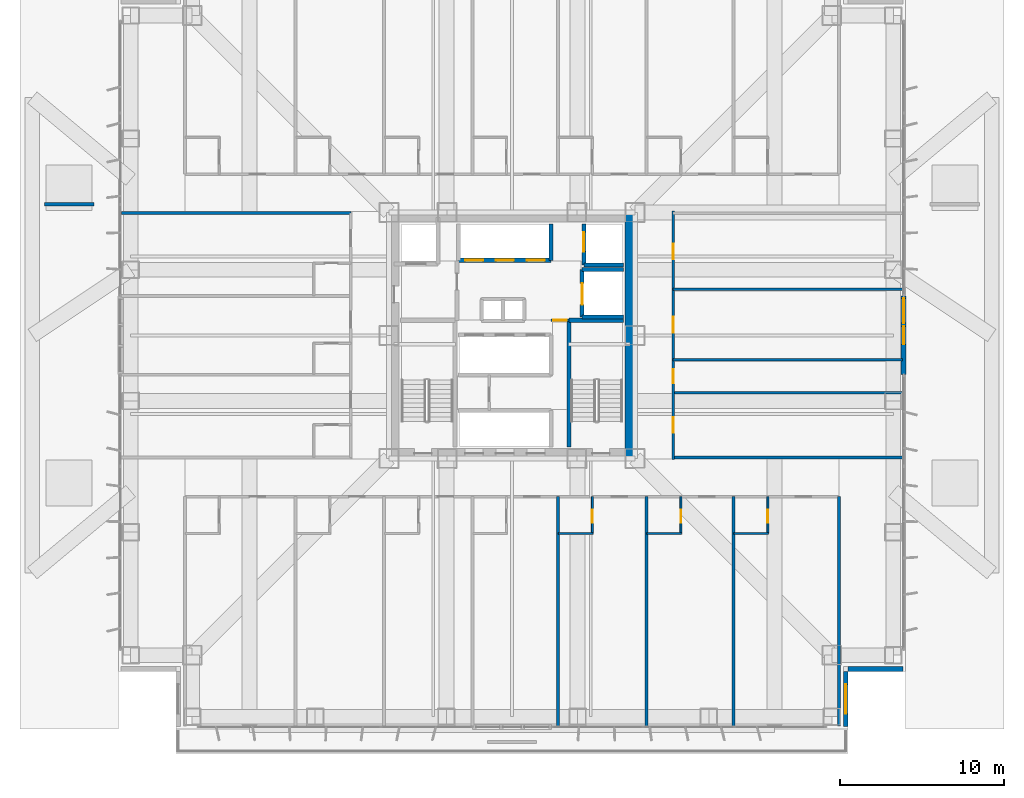
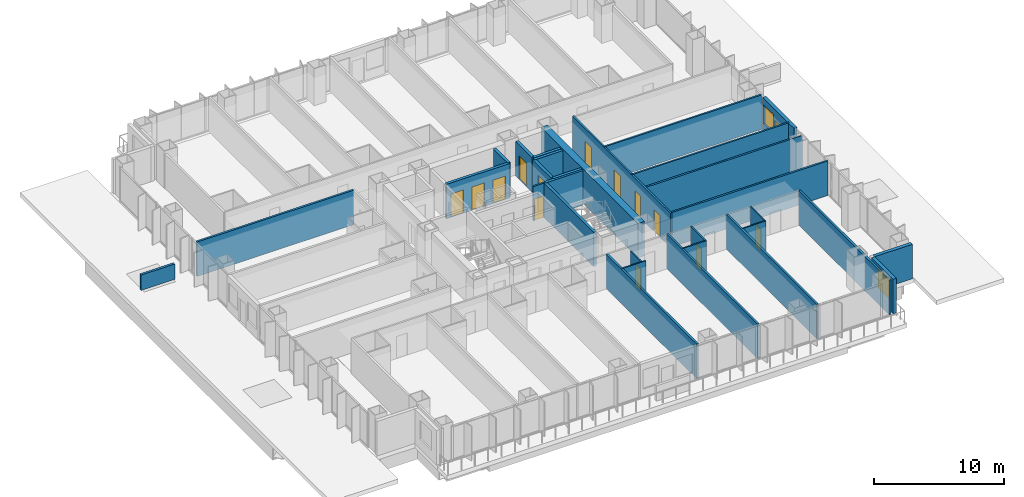
# One storey, part 17 of 24: 31 walls, 14 doors, 2 windows, 16 openings.
"""IFC4 building model written with IfcOpenShell, lengths in metres."""

import ifcopenshell
import ifcopenshell.guid

model = None  # the IFC model being written
_history = None  # IfcOwnerHistory: only IFC2X3 demands one
_inside = {}  # id of a spatial element -> (the spatial element, [elements in it])
_under = {}  # id of a project, library or spatial element -> (it, [spatial elements below it])
_declared = {}  # id of a project -> (the project, [libraries it declares])
_typed = {}  # id of a type object -> (the type object, [elements of that type])
_made_of = {}  # id of a material, layer set ... -> (it, [elements and type objects made of it])


def new_model(schema):
    """Start an empty IFC model of exactly this schema.

    Asked for "IFC4X3", IfcOpenShell would pick the latest addendum, in which some entities
    have other attributes; the version numbers below select the first issue.
    IFC2X3 requires an IfcOwnerHistory on every rooted entity: one is made here for all.
    """
    global model, _history
    if schema == "IFC4X3":
        model = ifcopenshell.file(schema_version=(4, 3, 0, 0))
    else:
        model = ifcopenshell.file(schema=schema)
    _inside.clear()
    _under.clear()
    _declared.clear()
    _typed.clear()
    _made_of.clear()
    _history = None
    if model.schema == "IFC2X3":
        org = make("IfcOrganization", Name="unknown")
        user = make(
            "IfcPersonAndOrganization",
            ThePerson=make("IfcPerson", FamilyName="unknown"),
            TheOrganization=org,
        )
        app = make(
            "IfcApplication",
            ApplicationDeveloper=org,
            Version="unknown",
            ApplicationFullName="unknown",
            ApplicationIdentifier="unknown",
        )
        _history = make(
            "IfcOwnerHistory",
            OwningUser=user,
            OwningApplication=app,
            ChangeAction="ADDED",
            CreationDate=0,
        )
    return model


def make(cls, **values):
    """One entity of the class cls with the attributes given. An attribute that is None is left unset."""
    return model.create_entity(
        cls, **{name: value for name, value in values.items() if value is not None}
    )


def rooted(cls, **values):
    """An entity with a GlobalId (a new one), such as an element, a storey or a relation."""
    return make(cls, GlobalId=ifcopenshell.guid.new(), OwnerHistory=_history, **values)


def si_unit(unit_type, name, prefix=None):
    """IfcSIUnit, for example si_unit("LENGTHUNIT", "METRE", prefix="MILLI")."""
    return make("IfcSIUnit", UnitType=unit_type, Prefix=prefix, Name=name)


def assignment(units):
    """IfcUnitAssignment: the units of a project."""
    return None if units is None else make("IfcUnitAssignment", Units=units)


def point(xyz):
    """IfcCartesianPoint."""
    return None if xyz is None else make("IfcCartesianPoint", Coordinates=xyz)


def direction(xyz):
    """IfcDirection."""
    return None if xyz is None else make("IfcDirection", DirectionRatios=xyz)


def frame(location, z_axis=None, x_axis=None):
    """IfcAxis2Placement3D, a coordinate frame: its origin and axes. An axis left out is left unset."""
    return make(
        "IfcAxis2Placement3D",
        Location=point(location),
        Axis=direction(z_axis),
        RefDirection=direction(x_axis),
    )


def frame_2d(location, x_axis=None):
    """IfcAxis2Placement2D, a coordinate frame in the plane: its origin and x axis."""
    return make(
        "IfcAxis2Placement2D", Location=point(location), RefDirection=direction(x_axis)
    )


def origin():
    """The frame at (0, 0, 0) with its axes left unset."""
    return frame((0.0, 0.0, 0.0))


def place(relative_to, where):
    """IfcLocalPlacement: puts the frame where relative to a parent placement (None: the world)."""
    return make(
        "IfcLocalPlacement", PlacementRelTo=relative_to, RelativePlacement=where
    )


def context(
    kind, dimensions, precision=None, world=None, true_north=None, identifier=None
):
    """IfcGeometricRepresentationContext, for example the 3D "Model" context."""
    return make(
        "IfcGeometricRepresentationContext",
        ContextIdentifier=identifier,
        ContextType=kind,
        CoordinateSpaceDimension=dimensions,
        Precision=precision,
        WorldCoordinateSystem=world,
        TrueNorth=true_north,
    )


def subcontext(parent, identifier, kind, view, scale=None):
    """IfcGeometricRepresentationSubContext, for example "Body" below "Model"."""
    return make(
        "IfcGeometricRepresentationSubContext",
        ContextIdentifier=identifier,
        ContextType=kind,
        ParentContext=parent,
        TargetScale=scale,
        TargetView=view,
    )


def project(units=None, contexts=None):
    """IfcProject with its units and contexts."""
    return rooted(
        "IfcProject",
        Name="project",
        RepresentationContexts=contexts,
        UnitsInContext=assignment(units),
    )


def spatial(cls, under=None, at=None, **own):
    """A site, building, storey or space (cls), placed at a placement, below another one or the project."""
    s = rooted(cls, ObjectPlacement=at, **own)
    if under is not None:
        _under.setdefault(under.id(), (under, []))[1].append(s)
    return s


def profile(cls, at=None, kind="AREA", **sizes):
    """A parametric profile (cls). Its sizes go by their IFC names, for example OverallWidth=200.0."""
    return make(cls, ProfileType=kind, Position=at, **sizes)


def rectangle(**sizes):
    """IfcRectangleProfileDef."""
    return profile("IfcRectangleProfileDef", **sizes)


def extrude(swept, where, along, depth):
    """IfcExtrudedAreaSolid: the profile swept, set in the frame where, extruded along a direction by depth."""
    return make(
        "IfcExtrudedAreaSolid",
        SweptArea=swept,
        Position=where,
        ExtrudedDirection=direction(along),
        Depth=depth,
    )


def shape(context_of_items, identifier, shape_type, items):
    """IfcShapeRepresentation: the items that make up one representation, for example the "Body"."""
    return make(
        "IfcShapeRepresentation",
        ContextOfItems=context_of_items,
        RepresentationIdentifier=identifier,
        RepresentationType=shape_type,
        Items=items,
    )


def material(Name=None, Category=None):
    """IfcMaterial."""
    return make("IfcMaterial", Name=Name, Category=Category)


def layer(
    of_material, thickness, ventilated=None, Name=None, Category=None, Priority=None
):
    """IfcMaterialLayer: one layer of a wall or slab, of a material (None: an air gap)."""
    return make(
        "IfcMaterialLayer",
        Material=of_material,
        LayerThickness=thickness,
        IsVentilated=ventilated,
        Name=Name,
        Category=Category,
        Priority=Priority,
    )


def layer_set(layers, Name=None):
    """IfcMaterialLayerSet."""
    return make("IfcMaterialLayerSet", MaterialLayers=layers, LayerSetName=Name)


def made_of(thing, what):
    """Note that an element or type object is made of a material, layer set ...; save() writes the relation."""
    if what is not None:
        _made_of.setdefault(what.id(), (what, []))[1].append(thing)
    return thing


def type_object(cls, material=None, **own):
    """A type object (cls), such as IfcWallType, which elements share."""
    return made_of(rooted(cls, **own), material)


def element(
    cls,
    number,
    at=None,
    inside=None,
    cuts=None,
    type_object=None,
    material=None,
    context=None,
    identifier="Body",
    shape_type=None,
    held_by="IfcProductDefinitionShape",
    body=None,
    shapes=None,
    **own,
):
    """One element of the class cls, such as IfcWall. Its Tag is "e" and its number.

    at: its placement. inside: the storey or other place that contains it. cuts: it is an
    opening in that element (IfcRelVoidsElement). A single representation is given by context,
    identifier, shape_type and body (its items); several are given by shapes. held_by: the class
    of the entity that holds the representations. save() writes the other relations.
    """
    e = rooted(cls, Tag="e%d" % number, ObjectPlacement=at, **own)
    if body is not None:
        shapes = [shape(context, identifier, shape_type, body)]
    if shapes is not None:
        e.Representation = make(held_by, Representations=shapes)
    if inside is not None:
        _inside.setdefault(inside.id(), (inside, []))[1].append(e)
    if cuts is not None:
        rooted(
            "IfcRelVoidsElement", RelatingBuildingElement=cuts, RelatedOpeningElement=e
        )
    if type_object is not None:
        _typed.setdefault(type_object.id(), (type_object, []))[1].append(e)
    return made_of(e, material)


def fill(opening, filler):
    """IfcRelFillsElement: the door or window that sits in an opening."""
    return rooted(
        "IfcRelFillsElement",
        RelatingOpeningElement=opening,
        RelatedBuildingElement=filler,
    )


def aggregate(whole, parts):
    """IfcRelAggregates: a whole, such as a stair, and the parts it consists of."""
    return rooted("IfcRelAggregates", RelatingObject=whole, RelatedObjects=parts)


def save(model, path):
    """Write the relations noted so far, then the file.

    IfcRelAggregates (storeys below a building ...), IfcRelContainedInSpatialStructure (elements
    in a storey), IfcRelDefinesByType, IfcRelAssociatesMaterial and IfcRelDeclares: one each for
    every whole, place, type object, material and project.
    """
    for whole, parts in _under.values():
        aggregate(whole, parts)
    for where, things in _inside.values():
        rooted(
            "IfcRelContainedInSpatialStructure",
            RelatedElements=things,
            RelatingStructure=where,
        )
    for kind, things in _typed.values():
        rooted("IfcRelDefinesByType", RelatedObjects=things, RelatingType=kind)
    for what, things in _made_of.values():
        rooted("IfcRelAssociatesMaterial", RelatedObjects=things, RelatingMaterial=what)
    for by, libraries in _declared.values():
        rooted("IfcRelDeclares", RelatingContext=by, RelatedDefinitions=libraries)
    model.write(path)


model = new_model("IFC4")

# Units and contexts
model_context = context("Model", 3, precision=1e-05, world=origin(), true_north=direction((0.0, 1.0)))
body_context = subcontext(model_context, "Body", "Model", "MODEL_VIEW")
ifc_project = project(units=[si_unit("LENGTHUNIT", "METRE"), si_unit("AREAUNIT", "SQUARE_METRE"), si_unit("VOLUMEUNIT", "CUBIC_METRE"), si_unit("PLANEANGLEUNIT", "RADIAN"), si_unit("MASSUNIT", "GRAM", prefix="KILO")], contexts=[model_context])

# Site, building, storey
site_placement = place(None, origin())
site = spatial("IfcSite", under=ifc_project, at=site_placement, CompositionType="ELEMENT")
building_placement = place(site_placement, origin())
building = spatial("IfcBuilding", under=site, at=building_placement, Name="Trevonay Congress Spire", CompositionType="ELEMENT")
storey_placement = place(building_placement, frame((0.0, 0.0, 27.0)))
storey = spatial("IfcBuildingStorey", under=building, at=storey_placement, Name="L05", CompositionType="ELEMENT", Elevation=27.0)

# Wall, opening, door
ifc_material_1 = material(Name="Concrete C40/50", Category="concrete")
ifc_layer_1 = layer(ifc_material_1, 0.1201171875, Name="Concrete C40/50")
ifc_layer_set_1 = layer_set([ifc_layer_1], Name="Concrete C40/50")
wall_type_1 = type_object("IfcWallType", Name="WAL-BATH-120", PredefinedType="PLUMBINGWALL", material=ifc_layer_set_1)
wall_1_placement = place(storey_placement, frame((4.89990234375, -12.080078125, 0.0), z_axis=(0.0, 0.0, 1.0), x_axis=(0.0, 1.0, 0.0)))
wall_1 = element("IfcWall", 1, at=wall_1_placement, inside=storey, type_object=wall_type_1, Name="L05 interior wall WH-L05S-BS5", PredefinedType="PLUMBINGWALL", context=body_context, shape_type="SweptSolid", body=[
    extrude(rectangle(XDim=2.25, YDim=0.1201171875, at=frame_2d((1.125, 0.0))), origin(), (0.0, 0.0, 1.0), 2.818115234375),
])
opening_1_placement = place(wall_1_placement, frame((0.64990234375, 0.0, 0.0)))
opening_1 = element("IfcOpeningElement", 2, at=opening_1_placement, cuts=wall_1, Name="Opening D11", PredefinedType="OPENING", context=body_context, shape_type="SweptSolid", body=[
    extrude(rectangle(XDim=0.800048828125, YDim=2.050048828125, at=frame_2d((0.39990234375, 1.02490234375))), frame((0.0, 0.070068359375, 0.0), z_axis=(0.0, -1.0, 0.0), x_axis=(1.0, 0.0, 0.0)), (0.0, 0.0, 1.0), 0.14013671875),
])
ifc_material_2 = material(Name="Pale Anodised Aluminium EN AW-6063-T6", Category="aluminium")
door_type_1 = type_object("IfcDoorType", Name="DOR-BATH-80", OperationType="NOTDEFINED", PredefinedType="DOOR", material=ifc_material_2)
door_1_placement = place(opening_1_placement, origin())
door_1 = element("IfcDoor", 3, at=door_1_placement, inside=storey, type_object=door_type_1, Name="L05 En-suite Bathroom Door", OperationType="SINGLE_SWING_RIGHT", OverallHeight=2.050048828125, OverallWidth=0.800048828125, PredefinedType="DOOR", context=body_context, shape_type="SweptSolid", body=[
    extrude(rectangle(XDim=0.800048828125, YDim=2.050048828125, at=frame_2d((0.39990234375, 1.02490234375))), frame((0.0, 0.02490234375, 0.0), z_axis=(0.0, -1.0, 0.0), x_axis=(1.0, 0.0, 0.0)), (0.0, 0.0, 1.0), 0.050048828125),
])
fill(opening_1, door_1)

# Wall
wall_2_placement = place(storey_placement, frame((2.830078125, -12.080078125, 0.0), z_axis=(0.0, 0.0, 1.0), x_axis=(1.0, 0.0, 0.0)))
element("IfcWall", 4, at=wall_2_placement, inside=storey, type_object=wall_type_1, Name="L05 interior wall WH-L05S-BF5", PredefinedType="PLUMBINGWALL", context=body_context, shape_type="SweptSolid", body=[
    extrude(rectangle(XDim=2.099853515625, YDim=0.1201171875, at=frame_2d((1.0498046875, 0.0))), origin(), (0.0, 0.0, 1.0), 3.25),
])

# Wall, opening, door
wall_3_placement = place(storey_placement, frame((10.300048828125, -12.080078125, 0.0), z_axis=(0.0, 0.0, 1.0), x_axis=(0.0, 1.0, 0.0)))
wall_3 = element("IfcWall", 5, at=wall_3_placement, inside=storey, type_object=wall_type_1, Name="L05 interior wall WH-L05S-BS6", PredefinedType="PLUMBINGWALL", context=body_context, shape_type="SweptSolid", body=[
    extrude(rectangle(XDim=2.25, YDim=0.1201171875, at=frame_2d((1.125, 0.0))), origin(), (0.0, 0.0, 1.0), 3.25),
])
opening_2_placement = place(wall_3_placement, frame((0.64990234375, 0.0, 0.0)))
opening_2 = element("IfcOpeningElement", 6, at=opening_2_placement, cuts=wall_3, Name="Opening D11", PredefinedType="OPENING", context=body_context, shape_type="SweptSolid", body=[
    extrude(rectangle(XDim=0.800048828125, YDim=2.050048828125, at=frame_2d((0.39990234375, 1.02490234375))), frame((0.0, 0.070068359375, 0.0), z_axis=(0.0, -1.0, 0.0), x_axis=(1.0, 0.0, 0.0)), (0.0, 0.0, 1.0), 0.14013671875),
])
door_2_placement = place(opening_2_placement, origin())
door_2 = element("IfcDoor", 7, at=door_2_placement, inside=storey, type_object=door_type_1, Name="L05 En-suite Bathroom Door", OperationType="SINGLE_SWING_LEFT", OverallHeight=2.050048828125, OverallWidth=0.800048828125, PredefinedType="DOOR", context=body_context, shape_type="SweptSolid", body=[
    extrude(rectangle(XDim=0.800048828125, YDim=2.050048828125, at=frame_2d((0.39990234375, 1.02490234375))), frame((0.0, 0.02490234375, 0.0), z_axis=(0.0, -1.0, 0.0), x_axis=(1.0, 0.0, 0.0)), (0.0, 0.0, 1.0), 0.050048828125),
])
fill(opening_2, door_2)

# Wall
wall_4_placement = place(storey_placement, frame((8.22998046875, -12.080078125, 0.0), z_axis=(0.0, 0.0, 1.0), x_axis=(1.0, 0.0, 0.0)))
element("IfcWall", 8, at=wall_4_placement, inside=storey, type_object=wall_type_1, Name="L05 interior wall WH-L05S-BF6", PredefinedType="PLUMBINGWALL", context=body_context, shape_type="SweptSolid", body=[
    extrude(rectangle(XDim=2.10009765625, YDim=0.1201171875, at=frame_2d((1.050048828125, 0.0))), origin(), (0.0, 0.0, 1.0), 3.25),
])

# Wall, opening, door
wall_5_placement = place(storey_placement, frame((15.60009765625, -12.080078125, 0.0), z_axis=(0.0, 0.0, 1.0), x_axis=(0.0, 1.0, 0.0)))
wall_5 = element("IfcWall", 9, at=wall_5_placement, inside=storey, type_object=wall_type_1, Name="L05 interior wall WH-L05S-BS7", PredefinedType="PLUMBINGWALL", context=body_context, shape_type="SweptSolid", body=[
    extrude(rectangle(XDim=2.25, YDim=0.1201171875, at=frame_2d((1.125, 0.0))), origin(), (0.0, 0.0, 1.0), 3.25),
])
opening_3_placement = place(wall_5_placement, frame((0.64990234375, 0.0, 0.0)))
opening_3 = element("IfcOpeningElement", 10, at=opening_3_placement, cuts=wall_5, Name="Opening D11", PredefinedType="OPENING", context=body_context, shape_type="SweptSolid", body=[
    extrude(rectangle(XDim=0.800048828125, YDim=2.050048828125, at=frame_2d((0.39990234375, 1.02490234375))), frame((0.0, 0.070068359375, 0.0), z_axis=(0.0, -1.0, 0.0), x_axis=(1.0, 0.0, 0.0)), (0.0, 0.0, 1.0), 0.14013671875),
])
door_3_placement = place(opening_3_placement, origin())
door_3 = element("IfcDoor", 11, at=door_3_placement, inside=storey, type_object=door_type_1, Name="L05 En-suite Bathroom Door", OperationType="SINGLE_SWING_RIGHT", OverallHeight=2.050048828125, OverallWidth=0.800048828125, PredefinedType="DOOR", context=body_context, shape_type="SweptSolid", body=[
    extrude(rectangle(XDim=0.800048828125, YDim=2.050048828125, at=frame_2d((0.39990234375, 1.02490234375))), frame((0.0, 0.02490234375, 0.0), z_axis=(0.0, -1.0, 0.0), x_axis=(1.0, 0.0, 0.0)), (0.0, 0.0, 1.0), 0.050048828125),
])
fill(opening_3, door_3)

# Walls
wall_6_placement = place(storey_placement, frame((13.530029296875, -12.080078125, 0.0), z_axis=(0.0, 0.0, 1.0), x_axis=(1.0, 0.0, 0.0)))
element("IfcWall", 12, at=wall_6_placement, inside=storey, type_object=wall_type_1, Name="L05 interior wall WH-L05S-BF7", PredefinedType="PLUMBINGWALL", context=body_context, shape_type="SweptSolid", body=[
    extrude(rectangle(XDim=2.099853515625, YDim=0.1201171875, at=frame_2d((1.0498046875, 0.0))), origin(), (0.0, 0.0, 1.0), 3.25),
])
ifc_material_3 = material(Name="Concrete C60/75", Category="concrete")
ifc_layer_2 = layer(ifc_material_3, 0.60009765625, Name="Concrete C60/75")
ifc_layer_set_2 = layer_set([ifc_layer_2], Name="Concrete C60/75")
wall_type_2 = type_object("IfcWallType", Name="WAL-CORE-600", PredefinedType="SHEAR", material=ifc_layer_set_2)
wall_7_placement = place(storey_placement, frame((7.199951171875, -7.5, 0.0), z_axis=(0.0, 0.0, 1.0), x_axis=(0.0, 1.0, 0.0)))
element("IfcWall", 13, at=wall_7_placement, inside=storey, type_object=wall_type_2, Name="L05 East structural core shear wall", PredefinedType="SHEAR", context=body_context, shape_type="SweptSolid", body=[
    extrude(rectangle(XDim=15.0, YDim=0.60009765625, at=frame_2d((7.5, 0.0))), origin(), (0.0, 0.0, 1.0), 3.25),
])

# Wall, openings, doors
ifc_layer_3 = layer(ifc_material_1, 0.14990234375, Name="Concrete C40/50")
ifc_layer_set_3 = layer_set([ifc_layer_3], Name="Concrete C40/50")
wall_type_3 = type_object("IfcWallType", Name="WAL-CORR-150", PredefinedType="PARTITIONING", material=ifc_layer_set_3)
wall_8_placement = place(storey_placement, frame((9.830078125, -7.570068359375, 0.0), z_axis=(0.0, 0.0, 1.0), x_axis=(0.0, 1.0, 0.0)))
wall_8 = element("IfcWall", 14, at=wall_8_placement, inside=storey, type_object=wall_type_3, Name="L05 interior wall WP-L05E-COR", PredefinedType="PARTITIONING", context=body_context, shape_type="SweptSolid", body=[
    extrude(rectangle(XDim=15.14013671875, YDim=0.14990234375, at=frame_2d((7.570068359375, 0.0))), origin(), (0.0, 0.0, 1.0), 3.25),
])
opening_4_placement = place(wall_8_placement, frame((1.6201171875, 0.0, 0.0)))
opening_4 = element("IfcOpeningElement", 15, at=opening_4_placement, cuts=wall_8, Name="Opening D07", PredefinedType="OPENING", context=body_context, shape_type="SweptSolid", body=[
    extrude(rectangle(XDim=0.949951171875, YDim=2.06005859375, at=frame_2d((0.47509765625, 1.030029296875))), frame((0.0, 0.0849609375, 0.0), z_axis=(0.0, -1.0, 0.0), x_axis=(1.0, 0.0, 0.0)), (0.0, 0.0, 1.0), 0.169921875),
])
opening_5_placement = place(wall_8_placement, frame((4.64501953125, 0.0, 0.0)))
opening_5 = element("IfcOpeningElement", 16, at=opening_5_placement, cuts=wall_8, Name="Opening D10", PredefinedType="OPENING", context=body_context, shape_type="SweptSolid", body=[
    extrude(rectangle(XDim=0.85009765625, YDim=2.050048828125, at=frame_2d((0.425048828125, 1.02490234375))), frame((0.0, 0.0849609375, 0.0), z_axis=(0.0, -1.0, 0.0), x_axis=(1.0, 0.0, 0.0)), (0.0, 0.0, 1.0), 0.169921875),
])
opening_6_placement = place(wall_8_placement, frame((7.7451171875, 0.0, 0.0)))
opening_6 = element("IfcOpeningElement", 17, at=opening_6_placement, cuts=wall_8, Name="Opening D07", PredefinedType="OPENING", context=body_context, shape_type="SweptSolid", body=[
    extrude(rectangle(XDim=0.949951171875, YDim=2.06005859375, at=frame_2d((0.47509765625, 1.030029296875))), frame((0.0, 0.0849609375, 0.0), z_axis=(0.0, -1.0, 0.0), x_axis=(1.0, 0.0, 0.0)), (0.0, 0.0, 1.0), 0.169921875),
])
opening_7_placement = place(wall_8_placement, frame((12.219970703125, 0.0, 0.0)))
opening_7 = element("IfcOpeningElement", 18, at=opening_7_placement, cuts=wall_8, Name="Opening D07", PredefinedType="OPENING", context=body_context, shape_type="SweptSolid", body=[
    extrude(rectangle(XDim=0.949951171875, YDim=2.06005859375, at=frame_2d((0.47509765625, 1.030029296875))), frame((0.0, 0.0849609375, 0.0), z_axis=(0.0, -1.0, 0.0), x_axis=(1.0, 0.0, 0.0)), (0.0, 0.0, 1.0), 0.169921875),
])
door_type_2 = type_object("IfcDoorType", Name="DOR-OFFICE-95", OperationType="NOTDEFINED", PredefinedType="DOOR", material=ifc_material_2)
door_4_placement = place(opening_4_placement, origin())
door_4 = element("IfcDoor", 19, at=door_4_placement, inside=storey, type_object=door_type_2, Name="L05 Housekeeping and Linen Room Door", OperationType="SINGLE_SWING_RIGHT", OverallHeight=2.06005859375, OverallWidth=0.949951171875, PredefinedType="DOOR", context=body_context, shape_type="SweptSolid", body=[
    extrude(rectangle(XDim=0.949951171875, YDim=2.06005859375, at=frame_2d((0.47509765625, 1.030029296875))), frame((0.0, 0.02490234375, 0.0), z_axis=(0.0, -1.0, 0.0), x_axis=(1.0, 0.0, 0.0)), (0.0, 0.0, 1.0), 0.050048828125),
])
fill(opening_4, door_4)
door_5_placement = place(opening_6_placement, origin())
door_5 = element("IfcDoor", 20, at=door_5_placement, inside=storey, type_object=door_type_2, Name="L05 Hotel Room-Service Pantry Door", OperationType="SINGLE_SWING_RIGHT", OverallHeight=2.06005859375, OverallWidth=0.949951171875, PredefinedType="DOOR", context=body_context, shape_type="SweptSolid", body=[
    extrude(rectangle(XDim=0.949951171875, YDim=2.06005859375, at=frame_2d((0.47509765625, 1.030029296875))), frame((0.0, 0.02490234375, 0.0), z_axis=(0.0, -1.0, 0.0), x_axis=(1.0, 0.0, 0.0)), (0.0, 0.0, 1.0), 0.050048828125),
])
fill(opening_6, door_5)
door_6_placement = place(opening_7_placement, origin())
door_6 = element("IfcDoor", 21, at=door_6_placement, inside=storey, type_object=door_type_2, Name="L05 Guest Concierge Desk Office Door", OperationType="SINGLE_SWING_LEFT", OverallHeight=2.06005859375, OverallWidth=0.949951171875, PredefinedType="DOOR", context=body_context, shape_type="SweptSolid", body=[
    extrude(rectangle(XDim=0.949951171875, YDim=2.06005859375, at=frame_2d((0.47509765625, 1.030029296875))), frame((0.0, 0.02490234375, 0.0), z_axis=(0.0, -1.0, 0.0), x_axis=(1.0, 0.0, 0.0)), (0.0, 0.0, 1.0), 0.050048828125),
])
fill(opening_7, door_6)
door_type_3 = type_object("IfcDoorType", Name="DOR-WC-85", OperationType="NOTDEFINED", PredefinedType="DOOR", material=ifc_material_2)
door_7_placement = place(opening_5_placement, origin())
door_7 = element("IfcDoor", 22, at=door_7_placement, inside=storey, type_object=door_type_3, Name="L05 Accessible WC Door", OperationType="SINGLE_SWING_LEFT", OverallHeight=2.050048828125, OverallWidth=0.85009765625, PredefinedType="DOOR", context=body_context, shape_type="SweptSolid", body=[
    extrude(rectangle(XDim=0.85009765625, YDim=2.050048828125, at=frame_2d((0.425048828125, 1.02490234375))), frame((0.0, 0.02490234375, 0.0), z_axis=(0.0, -1.0, 0.0), x_axis=(1.0, 0.0, 0.0)), (0.0, 0.0, 1.0), 0.050048828125),
])
fill(opening_5, door_7)

# Wall, openings, door, window
ifc_material_4 = material(Name="Precast concrete C40/50", Category="concrete")
ifc_layer_4 = layer(ifc_material_4, 0.300048828125, Name="Precast concrete C40/50")
ifc_layer_set_4 = layer_set([ifc_layer_4], Name="Precast concrete C40/50")
wall_type_4 = type_object("IfcWallType", Name="WAL-EXT-PRECAST-300", PredefinedType="SOLIDWALL", material=ifc_layer_set_4)
wall_9_placement = place(storey_placement, frame((23.8798828125, -2.39990234375, 0.0), z_axis=(0.0, 0.0, 1.0), x_axis=(0.0, 1.0, 0.0)))
wall_9 = element("IfcWall", 23, at=wall_9_placement, inside=storey, type_object=wall_type_4, Name="L05 E glazed balcony portal exterior wall", PredefinedType="SOLIDWALL", context=body_context, shape_type="SweptSolid", body=[
    extrude(rectangle(XDim=4.7998046875, YDim=0.300048828125, at=frame_2d((2.39990234375, 0.0))), origin(), (0.0, 0.0, 1.0), 3.25),
])
opening_8_placement = place(wall_9_placement, frame((1.85009765625, 0.0, 0.0)))
opening_8 = element("IfcOpeningElement", 24, at=opening_8_placement, cuts=wall_9, Name="Opening D03", PredefinedType="OPENING", context=body_context, shape_type="SweptSolid", body=[
    extrude(rectangle(XDim=1.10009765625, YDim=2.199951171875, at=frame_2d((0.550048828125, 1.10009765625))), frame((0.0, 0.16015625, 0.0), z_axis=(0.0, -1.0, 0.0), x_axis=(1.0, 0.0, 0.0)), (0.0, 0.0, 1.0), 0.320068359375),
])
opening_9_placement = place(wall_9_placement, frame((3.14990234375, 0.0, 0.85009765625)))
opening_9 = element("IfcOpeningElement", 25, at=opening_9_placement, cuts=wall_9, Name="Opening WN03", PredefinedType="OPENING", context=body_context, shape_type="SweptSolid", body=[
    extrude(rectangle(XDim=1.5, YDim=1.800048828125, at=frame_2d((0.75, 0.89990234375))), frame((0.0, 0.16015625, 0.0), z_axis=(0.0, -1.0, 0.0), x_axis=(1.0, 0.0, 0.0)), (0.0, 0.0, 1.0), 0.320068359375),
])
door_type_4 = type_object("IfcDoorType", Name="DOR-EXT-BAL-110", OperationType="NOTDEFINED", PredefinedType="DOOR", material=ifc_material_2)
door_8_placement = place(opening_8_placement, origin())
door_8 = element("IfcDoor", 26, at=door_8_placement, inside=storey, type_object=door_type_4, Name="L05 E glazed outdoor terrace and balcony door", OperationType="SINGLE_SWING_RIGHT", OverallHeight=2.199951171875, OverallWidth=1.10009765625, PredefinedType="DOOR", context=body_context, shape_type="SweptSolid", body=[
    extrude(rectangle(XDim=1.10009765625, YDim=2.199951171875, at=frame_2d((0.550048828125, 1.10009765625))), frame((0.0, 0.02490234375, 0.0), z_axis=(0.0, -1.0, 0.0), x_axis=(1.0, 0.0, 0.0)), (0.0, 0.0, 1.0), 0.050048828125),
])
fill(opening_8, door_8)
ifc_material_5 = material(Name="Insulated Low-E Vision Glass IGU", Category="glass")
window_type_1 = type_object("IfcWindowType", Name="WIN-NOTCH-150X180", PartitioningType="SINGLE_PANEL", PredefinedType="WINDOW", material=ifc_material_5)
window_1_placement = place(opening_9_placement, origin())
window_1 = element("IfcWindow", 27, at=window_1_placement, inside=storey, type_object=window_type_1, Name="L05 E balcony sidelight window R", OverallHeight=1.800048828125, OverallWidth=1.5, PartitioningType="SINGLE_PANEL", PredefinedType="WINDOW", context=body_context, shape_type="SweptSolid", body=[
    extrude(rectangle(XDim=1.5, YDim=1.800048828125, at=frame_2d((0.75, 0.89990234375))), frame((0.0, 0.030029296875, 0.0), z_axis=(0.0, -1.0, 0.0), x_axis=(1.0, 0.0, 0.0)), (0.0, 0.0, 1.0), 0.06005859375),
])
fill(opening_9, window_1)

# Wall, opening, window
wall_10_placement = place(storey_placement, frame((20.35009765625, -23.85009765625, 0.0), z_axis=(0.0, 0.0, 1.0), x_axis=(0.0, 1.0, 0.0)))
wall_10 = element("IfcWall", 28, at=wall_10_placement, inside=storey, type_object=wall_type_4, Name="L05 SE re-entrant notch exterior wall 1", PredefinedType="SOLIDWALL", context=body_context, shape_type="SweptSolid", body=[
    extrude(rectangle(XDim=3.35009765625, YDim=0.300048828125, at=frame_2d((1.675048828125, 0.0))), origin(), (0.0, 0.0, 1.0), 3.25),
])
opening_10_placement = place(wall_10_placement, frame((0.77490234375, 0.0, 0.89990234375)))
opening_10 = element("IfcOpeningElement", 29, at=opening_10_placement, cuts=wall_10, Name="Opening WN01", PredefinedType="OPENING", context=body_context, shape_type="SweptSolid", body=[
    extrude(rectangle(XDim=1.800048828125, YDim=1.800048828125, at=frame_2d((0.89990234375, 0.89990234375))), frame((0.0, 0.16015625, 0.0), z_axis=(0.0, -1.0, 0.0), x_axis=(1.0, 0.0, 0.0)), (0.0, 0.0, 1.0), 0.320068359375),
])
window_type_2 = type_object("IfcWindowType", Name="WIN-HOTEL-180X180", PartitioningType="SINGLE_PANEL", PredefinedType="WINDOW", material=ifc_material_5)
window_2_placement = place(opening_10_placement, origin())
window_2 = element("IfcWindow", 30, at=window_2_placement, inside=storey, type_object=window_type_2, Name="L05 SE corner notch window", OverallHeight=1.800048828125, OverallWidth=1.800048828125, PartitioningType="SINGLE_PANEL", PredefinedType="WINDOW", context=body_context, shape_type="SweptSolid", body=[
    extrude(rectangle(XDim=1.800048828125, YDim=1.800048828125, at=frame_2d((0.89990234375, 0.89990234375))), frame((0.0, 0.030029296875, 0.0), z_axis=(0.0, -1.0, 0.0), x_axis=(1.0, 0.0, 0.0)), (0.0, 0.0, 1.0), 0.06005859375),
])
fill(opening_10, window_2)

# Walls
wall_11_placement = place(storey_placement, frame((23.85009765625, -20.35009765625, 0.0), z_axis=(0.0, 0.0, 1.0), x_axis=(-1.0, 0.0, 0.0)))
element("IfcWall", 31, at=wall_11_placement, inside=storey, type_object=wall_type_4, Name="L05 SE re-entrant notch exterior wall 2", PredefinedType="SOLIDWALL", context=body_context, shape_type="SweptSolid", body=[
    extrude(rectangle(XDim=3.35009765625, YDim=0.300048828125, at=frame_2d((1.675048828125, 0.0))), origin(), (0.0, 0.0, 1.0), 3.25),
])
ifc_layer_5 = layer(ifc_material_1, 0.179931640625, Name="Concrete C40/50")
ifc_layer_set_5 = layer_set([ifc_layer_5], Name="Concrete C40/50")
wall_type_5 = type_object("IfcWallType", Name="WAL-HOTEL-180", PredefinedType="PARTITIONING", material=ifc_layer_set_5)
for number, where, z_axis, x_axis, name in (
    (32, (2.800048828125, -23.820068359375, 0.0), (0.0, 0.0, 1.0), (0.0, 1.0, 0.0), "L05 interior wall WH-L05S-DIV5"),
    (33, (8.199951171875, -23.820068359375, 0.0), (0.0, 0.0, 1.0), (0.0, 1.0, 0.0), "L05 interior wall WH-L05S-DIV6"),
    (34, (13.5, -23.820068359375, 0.0), (0.0, 0.0, 1.0), (0.0, 1.0, 0.0), "L05 interior wall WH-L05S-DIV7"),
    (35, (19.949951171875, -23.820068359375, 0.0), (0.0, 0.0, 1.0), (0.0, 1.0, 0.0), "L05 interior wall WH-L05S-DIV8"),
    (36, (-23.820068359375, 7.449951171875, 0.0), (0.0, 0.0, 1.0), (1.0, 0.0, 0.0), "L05 interior wall WH-L05W-DIV4"),
):
    element("IfcWall", number, at=place(storey_placement, frame(where, z_axis=z_axis, x_axis=x_axis)), inside=storey, type_object=wall_type_5, Name=name, PredefinedType="PARTITIONING", context=body_context, shape_type="SweptSolid", body=[
        extrude(rectangle(XDim=13.989990234375, YDim=0.179931640625, at=frame_2d((6.9951171875, 0.0))), origin(), (0.0, 0.0, 1.0), 3.25),
    ])

# Wall, opening, door
ifc_layer_6 = layer(ifc_material_1, 0.14990234375, Name="Concrete C40/50")
ifc_layer_set_6 = layer_set([ifc_layer_6], Name="Concrete C40/50")
wall_type_6 = type_object("IfcWallType", Name="WAL-PART-150", PredefinedType="PARTITIONING", material=ifc_layer_set_6)
wall_12_placement = place(storey_placement, frame((2.3798828125, 0.919921875, 0.0), z_axis=(0.0, 0.0, 1.0), x_axis=(1.0, 0.0, 0.0)))
wall_12 = element("IfcWall", 37, at=wall_12_placement, inside=storey, type_object=wall_type_6, Name="L05 interior wall CW-CSRV-N-L05", PredefinedType="PARTITIONING", context=body_context, shape_type="SweptSolid", body=[
    extrude(rectangle(XDim=1.090087890625, YDim=0.14990234375, at=frame_2d((0.544921875, 0.0))), origin(), (0.0, 0.0, 1.0), 3.25),
])
opening_11_placement = place(wall_12_placement, frame((0.135009765625, 0.0, 0.0)))
opening_11 = element("IfcOpeningElement", 38, at=opening_11_placement, cuts=wall_12, Name="Opening D13", PredefinedType="OPENING", context=body_context, shape_type="SweptSolid", body=[
    extrude(rectangle(XDim=0.820068359375, YDim=2.050048828125, at=frame_2d((0.41015625, 1.02490234375))), frame((0.0, 0.0849609375, 0.0), z_axis=(0.0, -1.0, 0.0), x_axis=(1.0, 0.0, 0.0)), (0.0, 0.0, 1.0), 0.169921875),
])
ifc_material_6 = material(Name="Steel ASTM A572 Grade 50", Category="steel")
door_type_5 = type_object("IfcDoorType", Name="DOR-UTIL-80", OperationType="NOTDEFINED", PredefinedType="DOOR", material=ifc_material_6)
door_9_placement = place(opening_11_placement, origin())
door_9 = element("IfcDoor", 39, at=door_9_placement, inside=storey, type_object=door_type_5, Name="L05 Core Service Pocket Door", OperationType="SINGLE_SWING_RIGHT", OverallHeight=2.050048828125, OverallWidth=0.820068359375, PredefinedType="DOOR", context=body_context, shape_type="SweptSolid", body=[
    extrude(rectangle(XDim=0.820068359375, YDim=2.050048828125, at=frame_2d((0.41015625, 1.02490234375))), frame((0.0, 0.02490234375, 0.0), z_axis=(0.0, -1.0, 0.0), x_axis=(1.0, 0.0, 0.0)), (0.0, 0.0, 1.0), 0.050048828125),
])
fill(opening_11, door_9)

# Walls
for number, where, z_axis, x_axis, name in (
    (40, (9.830078125, -1.5, 0.0), (0.0, 0.0, 1.0), (1.0, 0.0, 0.0), "L05 interior wall WP-L05E-DIV3"),
    (41, (9.830078125, 2.800048828125, 0.0), (0.0, 0.0, 1.0), (1.0, 0.0, 0.0), "L05 interior wall WP-L05E-DIV4"),
):
    element("IfcWall", number, at=place(storey_placement, frame(where, z_axis=z_axis, x_axis=x_axis)), inside=storey, type_object=wall_type_6, Name=name, PredefinedType="PARTITIONING", context=body_context, shape_type="SweptSolid", body=[
        extrude(rectangle(XDim=13.989990234375, YDim=0.14990234375, at=frame_2d((6.9951171875, 0.0))), origin(), (0.0, 0.0, 1.0), 3.25),
    ])

# Wall, openings, doors
ifc_layer_7 = layer(ifc_material_1, 0.25, Name="Concrete C40/50")
ifc_layer_set_7 = layer_set([ifc_layer_7], Name="Concrete C40/50")
wall_type_7 = type_object("IfcWallType", Name="WAL-SHAFT-250", PredefinedType="SHEAR", material=ifc_layer_set_7)
wall_13_placement = place(storey_placement, frame((-3.260009765625, 4.580078125, 0.0), z_axis=(0.0, 0.0, 1.0), x_axis=(1.0, 0.0, 0.0)))
wall_13 = element("IfcWall", 42, at=wall_13_placement, inside=storey, type_object=wall_type_7, Name="L05 interior shaft wall WSH-L05-B3-S", PredefinedType="SHEAR", context=body_context, shape_type="SweptSolid", body=[
    extrude(rectangle(XDim=5.639892578125, YDim=0.25, at=frame_2d((2.81982421875, 0.0))), origin(), (0.0, 0.0, 1.0), 3.25),
])
opening_12_placement = place(wall_13_placement, frame((0.39990234375, 0.0, 0.0)))
opening_12 = element("IfcOpeningElement", 43, at=opening_12_placement, cuts=wall_13, Name="Opening LD03", PredefinedType="OPENING", context=body_context, shape_type="SweptSolid", body=[
    extrude(rectangle(XDim=1.10009765625, YDim=2.199951171875, at=frame_2d((0.550048828125, 1.10009765625))), frame((0.0, 0.135009765625, 0.0), z_axis=(0.0, -1.0, 0.0), x_axis=(1.0, 0.0, 0.0)), (0.0, 0.0, 1.0), 0.27001953125),
])
opening_13_placement = place(wall_13_placement, frame((2.280029296875, 0.0, 0.0)))
opening_13 = element("IfcOpeningElement", 44, at=opening_13_placement, cuts=wall_13, Name="Opening LD03", PredefinedType="OPENING", context=body_context, shape_type="SweptSolid", body=[
    extrude(rectangle(XDim=1.10009765625, YDim=2.199951171875, at=frame_2d((0.550048828125, 1.10009765625))), frame((0.0, 0.135009765625, 0.0), z_axis=(0.0, -1.0, 0.0), x_axis=(1.0, 0.0, 0.0)), (0.0, 0.0, 1.0), 0.27001953125),
])
opening_14_placement = place(wall_13_placement, frame((4.159912109375, 0.0, 0.0)))
opening_14 = element("IfcOpeningElement", 45, at=opening_14_placement, cuts=wall_13, Name="Opening LD03", PredefinedType="OPENING", context=body_context, shape_type="SweptSolid", body=[
    extrude(rectangle(XDim=1.10009765625, YDim=2.199951171875, at=frame_2d((0.550048828125, 1.10009765625))), frame((0.0, 0.135009765625, 0.0), z_axis=(0.0, -1.0, 0.0), x_axis=(1.0, 0.0, 0.0)), (0.0, 0.0, 1.0), 0.27001953125),
])
door_type_6 = type_object("IfcDoorType", Name="DOR-LIFT-LD03", OperationType="DOUBLE_DOOR_SLIDING", PredefinedType="DOOR", material=ifc_material_2)
door_10_placement = place(opening_12_placement, origin())
door_10 = element("IfcDoor", 46, at=door_10_placement, inside=storey, type_object=door_type_6, Name="L05 Passenger lift PL-07 landing door", OperationType="DOUBLE_DOOR_SLIDING", OverallHeight=2.199951171875, OverallWidth=1.10009765625, PredefinedType="DOOR", context=body_context, shape_type="SweptSolid", body=[
    extrude(rectangle(XDim=1.10009765625, YDim=2.199951171875, at=frame_2d((0.550048828125, 1.10009765625))), frame((0.0, 0.02490234375, 0.0), z_axis=(0.0, -1.0, 0.0), x_axis=(1.0, 0.0, 0.0)), (0.0, 0.0, 1.0), 0.050048828125),
])
fill(opening_12, door_10)
door_11_placement = place(opening_13_placement, origin())
door_11 = element("IfcDoor", 47, at=door_11_placement, inside=storey, type_object=door_type_6, Name="L05 Passenger lift PL-08 landing door", OperationType="DOUBLE_DOOR_SLIDING", OverallHeight=2.199951171875, OverallWidth=1.10009765625, PredefinedType="DOOR", context=body_context, shape_type="SweptSolid", body=[
    extrude(rectangle(XDim=1.10009765625, YDim=2.199951171875, at=frame_2d((0.550048828125, 1.10009765625))), frame((0.0, 0.02490234375, 0.0), z_axis=(0.0, -1.0, 0.0), x_axis=(1.0, 0.0, 0.0)), (0.0, 0.0, 1.0), 0.050048828125),
])
fill(opening_13, door_11)
door_12_placement = place(opening_14_placement, origin())
door_12 = element("IfcDoor", 48, at=door_12_placement, inside=storey, type_object=door_type_6, Name="L05 Passenger lift PL-09 landing door", OperationType="DOUBLE_DOOR_SLIDING", OverallHeight=2.199951171875, OverallWidth=1.10009765625, PredefinedType="DOOR", context=body_context, shape_type="SweptSolid", body=[
    extrude(rectangle(XDim=1.10009765625, YDim=2.199951171875, at=frame_2d((0.550048828125, 1.10009765625))), frame((0.0, 0.02490234375, 0.0), z_axis=(0.0, -1.0, 0.0), x_axis=(1.0, 0.0, 0.0)), (0.0, 0.0, 1.0), 0.050048828125),
])
fill(opening_14, door_12)

# Walls
wall_14_placement = place(storey_placement, frame((2.3798828125, 4.580078125, 0.0), z_axis=(0.0, 0.0, 1.0), x_axis=(0.0, 1.0, 0.0)))
element("IfcWall", 49, at=wall_14_placement, inside=storey, type_object=wall_type_7, Name="L05 interior shaft wall WSH-L05-B3-E", PredefinedType="SHEAR", context=body_context, shape_type="SweptSolid", body=[
    extrude(rectangle(XDim=2.219970703125, YDim=0.25, at=frame_2d((1.10986328125, 0.0))), origin(), (0.0, 0.0, 1.0), 3.25),
])
wall_15_placement = place(storey_placement, frame((4.3798828125, 4.300048828125, 0.0), z_axis=(0.0, 0.0, 1.0), x_axis=(1.0, 0.0, 0.0)))
element("IfcWall", 50, at=wall_15_placement, inside=storey, type_object=wall_type_7, Name="L05 interior shaft wall WSH-L05-FF2-S", PredefinedType="SHEAR", context=body_context, shape_type="SweptSolid", body=[
    extrude(rectangle(XDim=2.420166015625, YDim=0.25, at=frame_2d((1.2099609375, 0.0))), origin(), (0.0, 0.0, 1.0), 3.25),
])

# Wall, opening, door
wall_16_placement = place(storey_placement, frame((4.3798828125, 4.300048828125, 0.0), z_axis=(0.0, 0.0, 1.0), x_axis=(0.0, 1.0, 0.0)))
wall_16 = element("IfcWall", 51, at=wall_16_placement, inside=storey, type_object=wall_type_7, Name="L05 interior shaft wall WSH-L05-FF2-W", PredefinedType="SHEAR", context=body_context, shape_type="SweptSolid", body=[
    extrude(rectangle(XDim=2.5, YDim=0.25, at=frame_2d((1.25, 0.0))), origin(), (0.0, 0.0, 1.0), 3.25),
])
opening_15_placement = place(wall_16_placement, frame((0.800048828125, 0.0, 0.0)))
opening_15 = element("IfcOpeningElement", 52, at=opening_15_placement, cuts=wall_16, Name="Opening LD04", PredefinedType="OPENING", context=body_context, shape_type="SweptSolid", body=[
    extrude(rectangle(XDim=1.199951171875, YDim=2.199951171875, at=frame_2d((0.60009765625, 1.10009765625))), frame((0.0, 0.135009765625, 0.0), z_axis=(0.0, -1.0, 0.0), x_axis=(1.0, 0.0, 0.0)), (0.0, 0.0, 1.0), 0.27001953125),
])
door_type_7 = type_object("IfcDoorType", Name="DOR-LIFT-LD04", OperationType="DOUBLE_DOOR_SLIDING", PredefinedType="DOOR", material=ifc_material_6)
door_13_placement = place(opening_15_placement, origin())
door_13 = element("IfcDoor", 53, at=door_13_placement, inside=storey, type_object=door_type_7, Name="L05 Firefighting lift FFL-02 landing door", OperationType="DOUBLE_DOOR_SLIDING", OverallHeight=2.199951171875, OverallWidth=1.199951171875, PredefinedType="DOOR", context=body_context, shape_type="SweptSolid", body=[
    extrude(rectangle(XDim=1.199951171875, YDim=2.199951171875, at=frame_2d((0.60009765625, 1.10009765625))), frame((0.0, 0.02490234375, 0.0), z_axis=(0.0, -1.0, 0.0), x_axis=(1.0, 0.0, 0.0)), (0.0, 0.0, 1.0), 0.050048828125),
])
fill(opening_15, door_13)

wall_17_placement = place(storey_placement, frame((4.280029296875, 1.1201171875, 0.0), z_axis=(0.0, 0.0, 1.0), x_axis=(0.0, 1.0, 0.0)))
wall_17 = element("IfcWall", 54, at=wall_17_placement, inside=storey, type_object=wall_type_7, Name="L05 interior shaft wall WSH-L05-SV-W", PredefinedType="SHEAR", context=body_context, shape_type="SweptSolid", body=[
    extrude(rectangle(XDim=2.89990234375, YDim=0.25, at=frame_2d((1.449951171875, 0.0))), origin(), (0.0, 0.0, 1.0), 3.25),
])
opening_16_placement = place(wall_17_placement, frame((0.75, 0.0, 0.0)))
opening_16 = element("IfcOpeningElement", 55, at=opening_16_placement, cuts=wall_17, Name="Opening LD05", PredefinedType="OPENING", context=body_context, shape_type="SweptSolid", body=[
    extrude(rectangle(XDim=1.300048828125, YDim=2.300048828125, at=frame_2d((0.64990234375, 1.14990234375))), frame((0.0, 0.135009765625, 0.0), z_axis=(0.0, -1.0, 0.0), x_axis=(1.0, 0.0, 0.0)), (0.0, 0.0, 1.0), 0.27001953125),
])
door_type_8 = type_object("IfcDoorType", Name="DOR-LIFT-LD05", OperationType="DOUBLE_DOOR_SLIDING", PredefinedType="DOOR", material=ifc_material_6)
door_14_placement = place(opening_16_placement, origin())
door_14 = element("IfcDoor", 56, at=door_14_placement, inside=storey, type_object=door_type_8, Name="L05 Goods lift SVL-01 landing door", OperationType="DOUBLE_DOOR_SLIDING", OverallHeight=2.300048828125, OverallWidth=1.300048828125, PredefinedType="DOOR", context=body_context, shape_type="SweptSolid", body=[
    extrude(rectangle(XDim=1.300048828125, YDim=2.300048828125, at=frame_2d((0.64990234375, 1.14990234375))), frame((0.0, 0.02490234375, 0.0), z_axis=(0.0, -1.0, 0.0), x_axis=(1.0, 0.0, 0.0)), (0.0, 0.0, 1.0), 0.050048828125),
])
fill(opening_16, door_14)

# Walls
for number, where, z_axis, x_axis, name in (
    (57, (4.280029296875, 1.1201171875, 0.0), (0.0, 0.0, 1.0), (1.0, 0.0, 0.0), "L05 interior shaft wall WSH-L05-SV-S"),
    (58, (4.280029296875, 4.02001953125, 0.0), (0.0, 0.0, 1.0), (1.0, 0.0, 0.0), "L05 interior shaft wall WSH-L05-SV-N"),
):
    element("IfcWall", number, at=place(storey_placement, frame(where, z_axis=z_axis, x_axis=x_axis)), inside=storey, type_object=wall_type_7, Name=name, PredefinedType="SHEAR", context=body_context, shape_type="SweptSolid", body=[
        extrude(rectangle(XDim=2.52001953125, YDim=0.25, at=frame_2d((1.260009765625, 0.0))), origin(), (0.0, 0.0, 1.0), 3.25),
    ])
ifc_layer_8 = layer(ifc_material_1, 0.25, Name="Concrete C40/50")
ifc_layer_set_8 = layer_set([ifc_layer_8], Name="Concrete C40/50")
wall_type_8 = type_object("IfcWallType", Name="WAL-SHAFT-LB-250", PredefinedType="SHEAR", material=ifc_layer_set_8)
wall_18_placement = place(storey_placement, frame((3.469970703125, -6.800048828125, 0.0), z_axis=(0.0, 0.0, 1.0), x_axis=(0.0, 1.0, 0.0)))
element("IfcWall", 59, at=wall_18_placement, inside=storey, type_object=wall_type_8, Name="L05 interior shaft wall WSH-L05-ST2-W", PredefinedType="SHEAR", context=body_context, shape_type="SweptSolid", body=[
    extrude(rectangle(XDim=7.719970703125, YDim=0.25, at=frame_2d((3.85986328125, 0.0))), origin(), (0.0, 0.0, 1.0), 3.25),
])
wall_19_placement = place(storey_placement, frame((3.469970703125, 0.919921875, 0.0), z_axis=(0.0, 0.0, 1.0), x_axis=(1.0, 0.0, 0.0)))
element("IfcWall", 60, at=wall_19_placement, inside=storey, type_object=wall_type_8, Name="L05 interior shaft wall WSH-L05-ST2-N", PredefinedType="SHEAR", context=body_context, shape_type="SweptSolid", body=[
    extrude(rectangle(XDim=3.330078125, YDim=0.25, at=frame_2d((1.6650390625, 0.0))), origin(), (0.0, 0.0, 1.0), 3.25),
])
ifc_layer_9 = layer(ifc_material_4, 0.199951171875, Name="Precast concrete C40/50")
ifc_layer_set_9 = layer_set([ifc_layer_9], Name="Precast concrete C40/50")
wall_type_9 = type_object("IfcWallType", Name="WAL-TREE-PLANTER-200", PredefinedType="PARAPET", material=ifc_layer_set_9)
wall_20_placement = place(storey_placement, frame((-28.5, 8.0, 0.0), z_axis=(0.0, 0.0, 1.0), x_axis=(1.0, 0.0, 0.0)))
element("IfcWall", 61, at=wall_20_placement, inside=storey, type_object=wall_type_9, Name="L05 podium roof garden tree planter kerb W", PredefinedType="PARAPET", context=body_context, shape_type="SweptSolid", body=[
    extrude(rectangle(XDim=3.0, YDim=0.199951171875, at=frame_2d((1.5, 0.0))), origin(), (0.0, 0.0, 1.0), 1.449951171875),
])
ifc_layer_10 = layer(ifc_material_1, 0.1650390625, Name="Concrete C40/50")
ifc_layer_set_10 = layer_set([ifc_layer_10], Name="Concrete C40/50")
wall_type_10 = type_object("IfcWallType", Name="WAL-WET-165", PredefinedType="PLUMBINGWALL", material=ifc_layer_set_10)
for number, where, z_axis, x_axis, name in (
    (62, (9.830078125, -7.449951171875, 0.0), (0.0, 0.0, 1.0), (1.0, 0.0, 0.0), "L05 interior wall WP-L05E-DIV1"),
    (63, (9.830078125, -3.5, 0.0), (0.0, 0.0, 1.0), (1.0, 0.0, 0.0), "L05 interior wall WP-L05E-DIV2"),
):
    element("IfcWall", number, at=place(storey_placement, frame(where, z_axis=z_axis, x_axis=x_axis)), inside=storey, type_object=wall_type_10, Name=name, PredefinedType="PLUMBINGWALL", context=body_context, shape_type="SweptSolid", body=[
        extrude(rectangle(XDim=13.989990234375, YDim=0.1650390625, at=frame_2d((6.9951171875, 0.0))), origin(), (0.0, 0.0, 1.0), 3.25),
    ])

save(model, "model.ifc")
